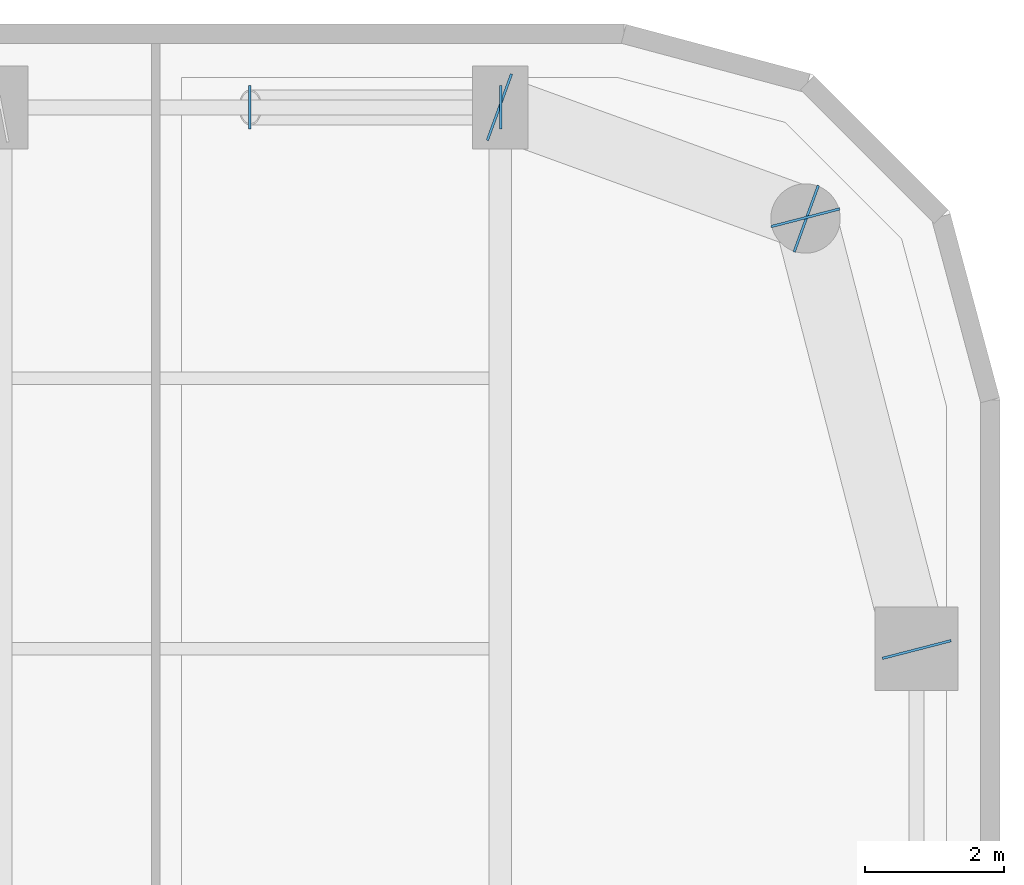
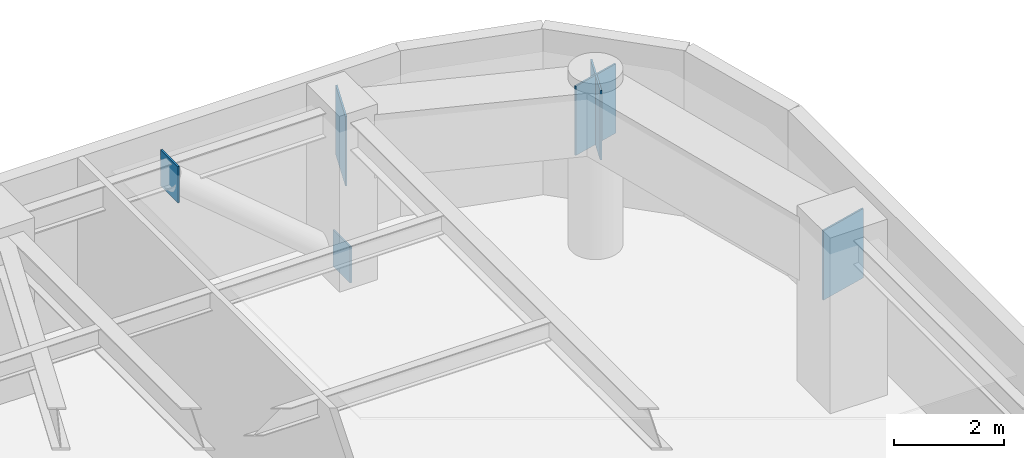
# One storey, part 23 of 30: 6 plates.
"""IFC4 building model written with IfcOpenShell, lengths in metres."""

from ifc_helpers import new_model, si_unit, direction, frame, origin, origin_2d, place, context, subcontext, project, spatial, rectangle, extrude, material, layer, layer_set, type_object, element, save


model = new_model("IFC4")

# Units and contexts
model_context = context("Model", 3, precision=1e-05, world=origin(), true_north=direction((0.0, 1.0)))
body_context = subcontext(model_context, "Body", "Model", "MODEL_VIEW")
ifc_project = project(units=[si_unit("LENGTHUNIT", "METRE"), si_unit("AREAUNIT", "SQUARE_METRE"), si_unit("VOLUMEUNIT", "CUBIC_METRE"), si_unit("PLANEANGLEUNIT", "RADIAN"), si_unit("MASSUNIT", "GRAM", prefix="KILO")], contexts=[model_context])

# Site, building, storey
site_placement = place(None, origin())
site = spatial("IfcSite", under=ifc_project, at=site_placement, CompositionType="ELEMENT")
building_placement = place(site_placement, origin())
building = spatial("IfcBuilding", under=site, at=building_placement, Name="Kiyonajd Concourse Tower", CompositionType="ELEMENT")
storey_placement = place(building_placement, frame((0.0, 0.0, 177.89990234375)))
storey = spatial("IfcBuildingStorey", under=building, at=storey_placement, Name="L45", CompositionType="ELEMENT", Elevation=177.89990234375)

# Plates
ifc_material = material(Name="Steel ASTM A572 Grade 50", Category="steel")
ifc_layer_1 = layer(ifc_material, 0.028076171875)
ifc_layer_set_1 = layer_set([ifc_layer_1], Name="Steel ASTM A572 Grade 50")
plate_type_1 = type_object("IfcPlateType", Name="PL-CAP-450", PredefinedType="USERDEFINED", material=ifc_layer_set_1)
for number, where, z_axis, x_axis, name in (
    (1, (63.6083984375, 61.199951171875, -0.10888671875), (0.0, 0.0, 1.0), (1.0, 0.0, 0.0), "L45 Hollow Brace End Cap Plate PBN"),
    (2, (59.99169921875, 61.199951171875, 2.93505859375), (0.0, 0.0, 1.0), (-1.0, 0.0, 0.0), "L45 Hollow Brace Top Cap Plate PBN"),
):
    element("IfcPlate", number, at=place(storey_placement, frame(where, z_axis=z_axis, x_axis=x_axis)), inside=storey, type_object=plate_type_1, Name=name, ObjectType="CAP PLATE", PredefinedType="USERDEFINED", context=body_context, shape_type="SweptSolid", body=[
        extrude(rectangle(XDim=0.035888671875, YDim=0.6279296875, at=origin_2d()), origin(), (0.0, 0.0, 1.0), 0.803955078125),
    ])
ifc_layer_2 = layer(ifc_material, 0.031982421875)
ifc_layer_set_2 = layer_set([ifc_layer_2], Name="Steel ASTM A572 Grade 50")
plate_type_2 = type_object("IfcPlateType", Name="PL-CAP-540", PredefinedType="USERDEFINED", material=ifc_layer_set_2)
for number, where, z_axis, x_axis, name in (
    (3, (69.602783203125, 53.389404296875, 2.2099609375), (0.0, 0.0, 1.0), (0.249873048837, -0.968278606324, 0.0), "L45 Welded Box Girder End Cap"),
    (4, (67.997314453125, 59.610595703125, 2.2099609375), (0.0, 0.0, 1.0), (-0.249873048837, 0.968278606324, 0.0), "L45 Welded Box Girder End Cap"),
    (5, (68.01025390625, 59.59619140625, 2.2099609375), (0.0, 0.0, 1.0), (0.939811951086, -0.341692107891, 0.0), "L45 Welded Box Girder End Cap"),
    (6, (63.589599609375, 61.203857421875, 2.2099609375), (0.0, 0.0, 1.0), (-0.939811951086, 0.341692107891, 0.0), "L45 Welded Box Girder End Cap"),
):
    element("IfcPlate", number, at=place(storey_placement, frame(where, z_axis=z_axis, x_axis=x_axis)), inside=storey, type_object=plate_type_2, Name=name, ObjectType="CAP PLATE", PredefinedType="USERDEFINED", context=body_context, shape_type="SweptSolid", body=[
        extrude(rectangle(XDim=0.035888671875, YDim=1.02001953125, at=origin_2d()), origin(), (0.0, 0.0, 1.0), 1.5400390625),
    ])

save(model, "model.ifc")
